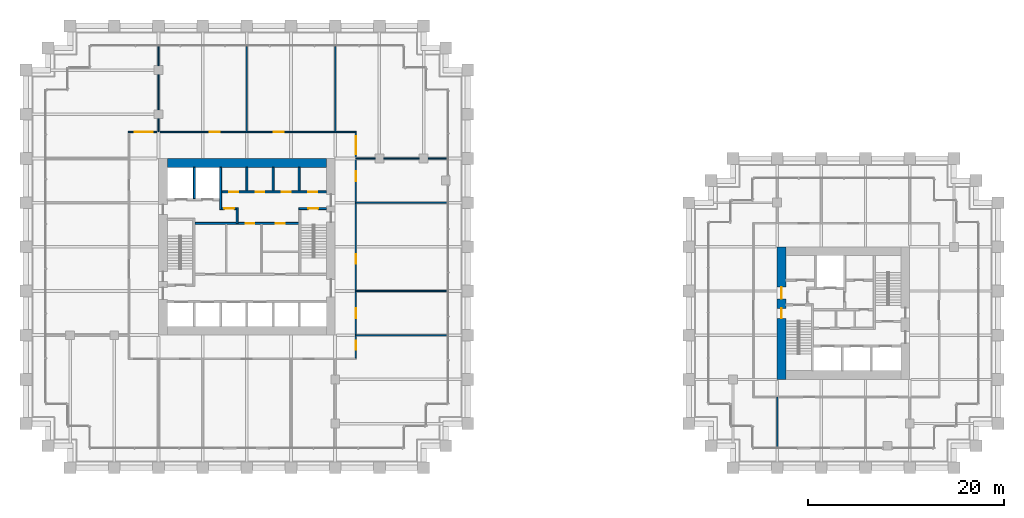
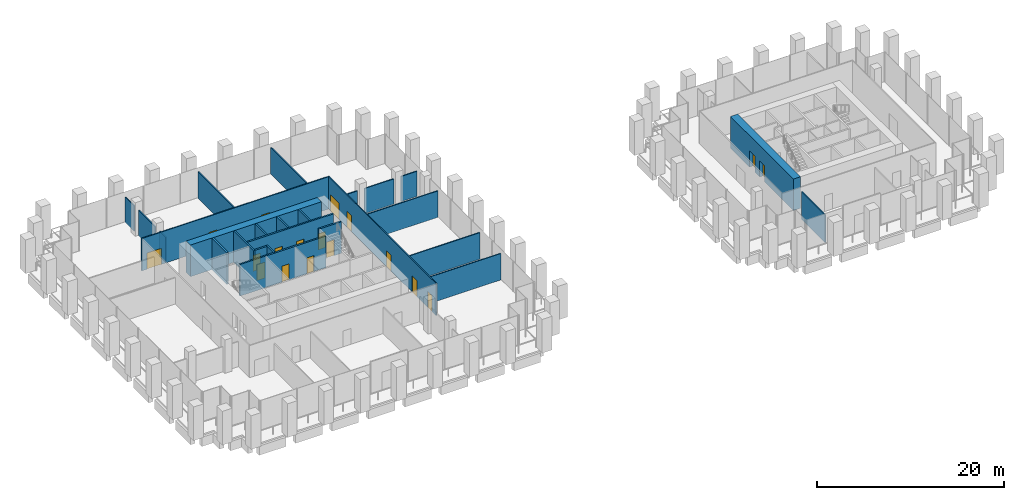
# One storey, part 31 of 36: 26 walls, 18 doors, 18 openings.
"""IFC4 building model written with IfcOpenShell, lengths in metres."""

from ifc_helpers import new_model, si_unit, direction, frame, frame_2d, origin, place, context, subcontext, project, spatial, rectangle, extrude, material, layer, layer_set, type_object, element, fill, save


model = new_model("IFC4")

# Units and contexts
model_context = context("Model", 3, precision=1e-05, world=origin(), true_north=direction((0.0, 1.0)))
body_context = subcontext(model_context, "Body", "Model", "MODEL_VIEW")
ifc_project = project(units=[si_unit("LENGTHUNIT", "METRE"), si_unit("AREAUNIT", "SQUARE_METRE"), si_unit("VOLUMEUNIT", "CUBIC_METRE"), si_unit("PLANEANGLEUNIT", "RADIAN"), si_unit("MASSUNIT", "GRAM", prefix="KILO")], contexts=[model_context])

# Site, building, storey
site_placement = place(None, origin())
site = spatial("IfcSite", under=ifc_project, at=site_placement, CompositionType="ELEMENT")
building_placement = place(site_placement, origin())
building = spatial("IfcBuilding", under=site, at=building_placement, Name="Altepetl Exchange Towers", CompositionType="ELEMENT")
storey_placement = place(building_placement, frame((0.0, 0.0, 25.39990234375)))
storey = spatial("IfcBuildingStorey", under=building, at=storey_placement, Name="L05", CompositionType="ELEMENT", Elevation=25.39990234375)

# Wall
ifc_material_1 = material(Name="Concrete C70/85", Category="concrete")
ifc_layer_1 = layer(ifc_material_1, 0.89990234375)
ifc_layer_set_1 = layer_set([ifc_layer_1], Name="Concrete C70/85")
wall_type_1 = type_object("IfcWallType", Name="Core wall 900 reinforced concrete", PredefinedType="SHEAR", material=ifc_layer_set_1)
wall_1_placement = place(storey_placement, frame((41.39990234375, 58.050048828125, 0.0)))
element("IfcWall", 1, at=wall_1_placement, inside=storey, type_object=wall_type_1, Name="wall:A:L05:K-coreN", PredefinedType="SHEAR", context=body_context, shape_type="SweptSolid", body=[
    extrude(rectangle(XDim=16.2001953125, YDim=0.89990234375, at=frame_2d((8.10009765625, 0.0))), origin(), (0.0, 0.0, 1.0), 4.125),
])

# Wall, openings, doors
wall_2_placement = place(storey_placement, frame((103.949951171875, 36.0, 0.0), z_axis=(0.0, 0.0, 1.0), x_axis=(0.0, 1.0, 0.0)))
wall_2 = element("IfcWall", 2, at=wall_2_placement, inside=storey, type_object=wall_type_1, Name="wall:B:L05:K-coreW", PredefinedType="SHEAR", context=body_context, shape_type="SweptSolid", body=[
    extrude(rectangle(XDim=13.5, YDim=0.89990234375, at=frame_2d((6.75, 0.0))), origin(), (0.0, 0.0, 1.0), 4.125),
])
opening_1_placement = place(wall_2_placement, frame((8.199951171875, 0.0, 0.0)))
opening_1 = element("IfcOpeningElement", 3, at=opening_1_placement, cuts=wall_2, Name="Opening L05.B60", PredefinedType="OPENING", context=body_context, shape_type="SweptSolid", body=[
    extrude(rectangle(XDim=1.199951171875, YDim=2.10009765625, at=frame_2d((0.60009765625, 1.050048828125))), frame((0.0, 0.4599609375, 0.0), z_axis=(0.0, -1.0, 0.0), x_axis=(1.0, 0.0, 0.0)), (0.0, 0.0, 1.0), 0.919921875),
])
opening_2_placement = place(wall_2_placement, frame((6.22509765625, 0.0, 0.0)))
opening_2 = element("IfcOpeningElement", 4, at=opening_2_placement, cuts=wall_2, Name="Opening L05.B63", PredefinedType="OPENING", context=body_context, shape_type="SweptSolid", body=[
    extrude(rectangle(XDim=1.0, YDim=2.10009765625, at=frame_2d((0.5, 1.050048828125))), frame((0.0, 0.4599609375, 0.0), z_axis=(0.0, -1.0, 0.0), x_axis=(1.0, 0.0, 0.0)), (0.0, 0.0, 1.0), 0.919921875),
])
ifc_material_2 = material(Name="Steel and timber fire door", Category="steel")
door_type_1 = type_object("IfcDoorType", Name="Fire door 1000 x 2100 stair and lobby", OperationType="SINGLE_SWING_LEFT", PredefinedType="DOOR", material=ifc_material_2)
door_1_placement = place(opening_2_placement, frame((1.0, 0.0, 0.0), x_axis=(-1.0, 0.0, 0.0)))
door_1 = element("IfcDoor", 5, at=door_1_placement, inside=storey, type_object=door_type_1, Name="door:B:L05:K-dS1x", OperationType="SINGLE_SWING_RIGHT", OverallHeight=2.10009765625, OverallWidth=1.0, PredefinedType="DOOR", context=body_context, shape_type="SweptSolid", body=[
    extrude(rectangle(XDim=1.0, YDim=2.10009765625, at=frame_2d((0.5, 1.050048828125))), frame((0.0, 0.02490234375, 0.0), z_axis=(0.0, -1.0, 0.0), x_axis=(1.0, 0.0, 0.0)), (0.0, 0.0, 1.0), 0.050048828125),
])
fill(opening_2, door_1)
door_type_2 = type_object("IfcDoorType", Name="Fire door 1200 x 2100 lobby entry", OperationType="SINGLE_SWING_LEFT", PredefinedType="DOOR", material=ifc_material_2)
door_2_placement = place(opening_1_placement, frame((1.199951171875, 0.0, 0.0), x_axis=(-1.0, 0.0, 0.0)))
door_2 = element("IfcDoor", 6, at=door_2_placement, inside=storey, type_object=door_type_2, Name="door:B:L05:K-dLNW", OperationType="SINGLE_SWING_RIGHT", OverallHeight=2.10009765625, OverallWidth=1.199951171875, PredefinedType="DOOR", context=body_context, shape_type="SweptSolid", body=[
    extrude(rectangle(XDim=1.199951171875, YDim=2.10009765625, at=frame_2d((0.60009765625, 1.050048828125))), frame((0.0, 0.02490234375, 0.0), z_axis=(0.0, -1.0, 0.0), x_axis=(1.0, 0.0, 0.0)), (0.0, 0.0, 1.0), 0.050048828125),
])
fill(opening_1, door_2)

# Wall
ifc_material_3 = material(Name="Concrete blockwork", Category="masonry")
ifc_layer_2 = layer(ifc_material_3, 0.199951171875)
ifc_layer_set_2 = layer_set([ifc_layer_2], Name="Concrete blockwork")
wall_type_2 = type_object("IfcWallType", Name="Lobby wall 200 blockwork", PredefinedType="PARTITIONING", material=ifc_layer_set_2)
wall_3_placement = place(storey_placement, frame((48.5, 51.89990234375, 0.0), z_axis=(0.0, 0.0, 1.0), x_axis=(0.0, 1.0, 0.0)))
element("IfcWall", 7, at=wall_3_placement, inside=storey, type_object=wall_type_2, Name="wall:A:L05:K-ffE", PredefinedType="PARTITIONING", context=body_context, shape_type="SweptSolid", body=[
    extrude(rectangle(XDim=1.60009765625, YDim=0.199951171875, at=frame_2d((0.800048828125, 0.0))), origin(), (0.0, 0.0, 1.0), 4.125),
])

# Wall, opening, door
wall_4_placement = place(storey_placement, frame((46.933349609375, 53.39990234375, 0.0)))
wall_4 = element("IfcWall", 8, at=wall_4_placement, inside=storey, type_object=wall_type_2, Name="wall:A:L05:K-ffN", PredefinedType="PARTITIONING", context=body_context, shape_type="SweptSolid", body=[
    extrude(rectangle(XDim=1.466552734375, YDim=0.199951171875, at=frame_2d((0.7333984375, 0.0))), origin(), (0.0, 0.0, 1.0), 4.125),
])
opening_3_placement = place(wall_4_placement, frame((0.2666015625, 0.0, 0.0)))
opening_3 = element("IfcOpeningElement", 9, at=opening_3_placement, cuts=wall_4, Name="Opening L05.A67", PredefinedType="OPENING", context=body_context, shape_type="SweptSolid", body=[
    extrude(rectangle(XDim=1.0, YDim=2.10009765625, at=frame_2d((0.5, 1.050048828125))), frame((0.0, 0.10986328125, 0.0), z_axis=(0.0, -1.0, 0.0), x_axis=(1.0, 0.0, 0.0)), (0.0, 0.0, 1.0), 0.219970703125),
])
door_3_placement = place(opening_3_placement, frame((1.0, 0.0, 0.0), x_axis=(-1.0, 0.0, 0.0)))
door_3 = element("IfcDoor", 10, at=door_3_placement, inside=storey, type_object=door_type_1, Name="door:A:L05:K-dffN", OperationType="SINGLE_SWING_LEFT", OverallHeight=2.10009765625, OverallWidth=1.0, PredefinedType="DOOR", context=body_context, shape_type="SweptSolid", body=[
    extrude(rectangle(XDim=1.0, YDim=2.10009765625, at=frame_2d((0.5, 1.050048828125))), frame((0.0, 0.02490234375, 0.0), z_axis=(0.0, -1.0, 0.0), x_axis=(1.0, 0.0, 0.0)), (0.0, 0.0, 1.0), 0.050048828125),
])
fill(opening_3, door_3)

# Wall, openings, doors
wall_5_placement = place(storey_placement, frame((44.199951171875, 51.89990234375, 0.0)))
wall_5 = element("IfcWall", 11, at=wall_5_placement, inside=storey, type_object=wall_type_2, Name="wall:A:L05:K-zoneN", PredefinedType="PARTITIONING", context=body_context, shape_type="SweptSolid", body=[
    extrude(rectangle(XDim=10.60009765625, YDim=0.199951171875, at=frame_2d((5.300048828125, 0.0))), origin(), (0.0, 0.0, 1.0), 4.125),
])
opening_4_placement = place(wall_5_placement, frame((5.175048828125, 0.0, 0.0)))
opening_4 = element("IfcOpeningElement", 12, at=opening_4_placement, cuts=wall_5, Name="Opening L05.A74", PredefinedType="OPENING", context=body_context, shape_type="SweptSolid", body=[
    extrude(rectangle(XDim=0.89990234375, YDim=2.10009765625, at=frame_2d((0.449951171875, 1.050048828125))), frame((0.0, 0.10986328125, 0.0), z_axis=(0.0, -1.0, 0.0), x_axis=(1.0, 0.0, 0.0)), (0.0, 0.0, 1.0), 0.219970703125),
])
opening_5_placement = place(wall_5_placement, frame((8.25, 0.0, 0.0)))
opening_5 = element("IfcOpeningElement", 13, at=opening_5_placement, cuts=wall_5, Name="Opening L05.A76", PredefinedType="OPENING", context=body_context, shape_type="SweptSolid", body=[
    extrude(rectangle(XDim=0.89990234375, YDim=2.10009765625, at=frame_2d((0.449951171875, 1.050048828125))), frame((0.0, 0.10986328125, 0.0), z_axis=(0.0, -1.0, 0.0), x_axis=(1.0, 0.0, 0.0)), (0.0, 0.0, 1.0), 0.219970703125),
])
door_type_3 = type_object("IfcDoorType", Name="Fire door 900 x 2100 service room", OperationType="SINGLE_SWING_LEFT", PredefinedType="DOOR", material=ifc_material_2)
door_4_placement = place(opening_4_placement, frame((0.89990234375, 0.0, 0.0), x_axis=(-1.0, 0.0, 0.0)))
door_4 = element("IfcDoor", 14, at=door_4_placement, inside=storey, type_object=door_type_3, Name="door:A:L05:K-dz2", OperationType="SINGLE_SWING_LEFT", OverallHeight=2.10009765625, OverallWidth=0.89990234375, PredefinedType="DOOR", context=body_context, shape_type="SweptSolid", body=[
    extrude(rectangle(XDim=0.89990234375, YDim=2.10009765625, at=frame_2d((0.449951171875, 1.050048828125))), frame((0.0, 0.02490234375, 0.0), z_axis=(0.0, -1.0, 0.0), x_axis=(1.0, 0.0, 0.0)), (0.0, 0.0, 1.0), 0.050048828125),
])
fill(opening_4, door_4)
door_5_placement = place(opening_5_placement, frame((0.89990234375, 0.0, 0.0), x_axis=(-1.0, 0.0, 0.0)))
door_5 = element("IfcDoor", 15, at=door_5_placement, inside=storey, type_object=door_type_3, Name="door:A:L05:K-dz4", OperationType="SINGLE_SWING_LEFT", OverallHeight=2.10009765625, OverallWidth=0.89990234375, PredefinedType="DOOR", context=body_context, shape_type="SweptSolid", body=[
    extrude(rectangle(XDim=0.89990234375, YDim=2.10009765625, at=frame_2d((0.449951171875, 1.050048828125))), frame((0.0, 0.02490234375, 0.0), z_axis=(0.0, -1.0, 0.0), x_axis=(1.0, 0.0, 0.0)), (0.0, 0.0, 1.0), 0.050048828125),
])
fill(opening_5, door_5)

# Walls
ifc_material_4 = material(Name="Gypsum board on steel studs", Category="steel")
ifc_layer_3 = layer(ifc_material_4, 0.125)
ifc_layer_set_3 = layer_set([ifc_layer_3], Name="Gypsum board on steel studs")
wall_type_3 = type_object("IfcWallType", Name="Partition 125 gypsum board on steel studs", PredefinedType="PARTITIONING", material=ifc_layer_set_3)
for number, where, name in (
    (16, (60.60009765625, 40.5, 0.0), "wall:A:L05:P05"),
    (17, (60.60009765625, 45.0, 0.0), "wall:A:L05:P06"),
    (18, (60.60009765625, 54.0, 0.0), "wall:A:L05:P08"),
):
    element("IfcWall", number, at=place(storey_placement, frame(where)), inside=storey, type_object=wall_type_3, Name=name, PredefinedType="PARTITIONING", context=body_context, shape_type="SweptSolid", body=[
        extrude(rectangle(XDim=9.2998046875, YDim=0.125, at=frame_2d((4.64990234375, 0.0))), origin(), (0.0, 0.0, 1.0), 3.467041015625),
    ])
wall_6_placement = place(storey_placement, frame((60.60009765625, 58.5, 0.0)))
element("IfcWall", 19, at=wall_6_placement, inside=storey, type_object=wall_type_3, Name="wall:A:L05:P10", PredefinedType="PARTITIONING", context=body_context, shape_type="SweptSolid", body=[
    extrude(rectangle(XDim=1.949951171875, YDim=0.125, at=frame_2d((0.97509765625, 0.0))), origin(), (0.0, 0.0, 1.0), 3.302001953125),
])
wall_7_placement = place(storey_placement, frame((63.449951171875, 58.5, 0.0)))
element("IfcWall", 20, at=wall_7_placement, inside=storey, type_object=wall_type_3, Name="wall:A:L05:P11", PredefinedType="PARTITIONING", context=body_context, shape_type="SweptSolid", body=[
    extrude(rectangle(XDim=3.60009765625, YDim=0.125, at=frame_2d((1.800048828125, 0.0))), origin(), (0.0, 0.0, 1.0), 3.302001953125),
])
wall_8_placement = place(storey_placement, frame((67.949951171875, 58.5, 0.0)))
element("IfcWall", 21, at=wall_8_placement, inside=storey, type_object=wall_type_3, Name="wall:A:L05:P12", PredefinedType="PARTITIONING", context=body_context, shape_type="SweptSolid", body=[
    extrude(rectangle(XDim=1.949951171875, YDim=0.125, at=frame_2d((0.97509765625, 0.0))), origin(), (0.0, 0.0, 1.0), 3.302001953125),
])

# Wall, openings, doors
wall_9_placement = place(storey_placement, frame((37.4375, 61.199951171875, 0.0)))
wall_9 = element("IfcWall", 22, at=wall_9_placement, inside=storey, type_object=wall_type_3, Name="wall:A:L05:P13", PredefinedType="PARTITIONING", context=body_context, shape_type="SweptSolid", body=[
    extrude(rectangle(XDim=23.22509765625, YDim=0.125, at=frame_2d((11.612548828125, 0.0))), origin(), (0.0, 0.0, 1.0), 4.22509765625),
])
opening_6_placement = place(wall_9_placement, frame((14.820556640625, 0.0, 0.0)))
opening_6 = element("IfcOpeningElement", 23, at=opening_6_placement, cuts=wall_9, Name="Opening L05.A11", PredefinedType="OPENING", context=body_context, shape_type="SweptSolid", body=[
    extrude(rectangle(XDim=1.0, YDim=2.10009765625, at=frame_2d((0.5, 1.050048828125))), frame((0.0, 0.072509765625, 0.0), z_axis=(0.0, -1.0, 0.0), x_axis=(1.0, 0.0, 0.0)), (0.0, 0.0, 1.0), 0.14501953125),
])
opening_7_placement = place(wall_9_placement, frame((8.304443359375, 0.0, 0.0)))
opening_7 = element("IfcOpeningElement", 24, at=opening_7_placement, cuts=wall_9, Name="Opening L05.A12", PredefinedType="OPENING", context=body_context, shape_type="SweptSolid", body=[
    extrude(rectangle(XDim=1.0, YDim=2.10009765625, at=frame_2d((0.5, 1.050048828125))), frame((0.0, 0.072509765625, 0.0), z_axis=(0.0, -1.0, 0.0), x_axis=(1.0, 0.0, 0.0)), (0.0, 0.0, 1.0), 0.14501953125),
])
opening_8_placement = place(wall_9_placement, frame((0.66259765625, 0.0, 0.0)))
opening_8 = element("IfcOpeningElement", 25, at=opening_8_placement, cuts=wall_9, Name="Opening L05.A13", PredefinedType="OPENING", context=body_context, shape_type="SweptSolid", body=[
    extrude(rectangle(XDim=1.800048828125, YDim=2.10009765625, at=frame_2d((0.89990234375, 1.050048828125))), frame((0.0, 0.072509765625, 0.0), z_axis=(0.0, -1.0, 0.0), x_axis=(1.0, 0.0, 0.0)), (0.0, 0.0, 1.0), 0.14501953125),
])
door_type_4 = type_object("IfcDoorType", Name="Fire door 1000 x 2100 single leaf", OperationType="SINGLE_SWING_LEFT", PredefinedType="DOOR", material=ifc_material_2)
door_6_placement = place(opening_6_placement, origin())
door_6 = element("IfcDoor", 26, at=door_6_placement, inside=storey, type_object=door_type_4, Name="door:A:L05:11", OperationType="SINGLE_SWING_LEFT", OverallHeight=2.10009765625, OverallWidth=1.0, PredefinedType="DOOR", context=body_context, shape_type="SweptSolid", body=[
    extrude(rectangle(XDim=1.0, YDim=2.10009765625, at=frame_2d((0.5, 1.050048828125))), frame((0.0, 0.02490234375, 0.0), z_axis=(0.0, -1.0, 0.0), x_axis=(1.0, 0.0, 0.0)), (0.0, 0.0, 1.0), 0.050048828125),
])
fill(opening_6, door_6)
door_7_placement = place(opening_7_placement, origin())
door_7 = element("IfcDoor", 27, at=door_7_placement, inside=storey, type_object=door_type_4, Name="door:A:L05:12", OperationType="SINGLE_SWING_RIGHT", OverallHeight=2.10009765625, OverallWidth=1.0, PredefinedType="DOOR", context=body_context, shape_type="SweptSolid", body=[
    extrude(rectangle(XDim=1.0, YDim=2.10009765625, at=frame_2d((0.5, 1.050048828125))), frame((0.0, 0.02490234375, 0.0), z_axis=(0.0, -1.0, 0.0), x_axis=(1.0, 0.0, 0.0)), (0.0, 0.0, 1.0), 0.050048828125),
])
fill(opening_7, door_7)
door_type_5 = type_object("IfcDoorType", Name="Fire door 1800 x 2100 double leaf", OperationType="DOUBLE_DOOR_SINGLE_SWING", PredefinedType="DOOR", material=ifc_material_2)
door_8_placement = place(opening_8_placement, origin())
door_8 = element("IfcDoor", 28, at=door_8_placement, inside=storey, type_object=door_type_5, Name="door:A:L05:13", OperationType="DOUBLE_DOOR_SINGLE_SWING", OverallHeight=2.10009765625, OverallWidth=1.800048828125, PredefinedType="DOOR", context=body_context, shape_type="SweptSolid", body=[
    extrude(rectangle(XDim=1.800048828125, YDim=2.10009765625, at=frame_2d((0.89990234375, 1.050048828125))), frame((0.0, 0.02490234375, 0.0), z_axis=(0.0, -1.0, 0.0), x_axis=(1.0, 0.0, 0.0)), (0.0, 0.0, 1.0), 0.050048828125),
])
fill(opening_8, door_8)

# Walls
wall_10_placement = place(storey_placement, frame((40.5, 61.199951171875, 0.0), z_axis=(0.0, 0.0, 1.0), x_axis=(0.0, 1.0, 0.0)))
element("IfcWall", 29, at=wall_10_placement, inside=storey, type_object=wall_type_3, Name="wall:A:L05:P16", PredefinedType="PARTITIONING", context=body_context, shape_type="SweptSolid", body=[
    extrude(rectangle(XDim=1.35009765625, YDim=0.125, at=frame_2d((0.675048828125, 0.0))), origin(), (0.0, 0.0, 1.0), 3.302001953125),
])
wall_11_placement = place(storey_placement, frame((40.5, 63.449951171875, 0.0), z_axis=(0.0, 0.0, 1.0), x_axis=(0.0, 1.0, 0.0)))
element("IfcWall", 30, at=wall_11_placement, inside=storey, type_object=wall_type_3, Name="wall:A:L05:P17", PredefinedType="PARTITIONING", context=body_context, shape_type="SweptSolid", body=[
    extrude(rectangle(XDim=3.60009765625, YDim=0.125, at=frame_2d((1.800048828125, 0.0))), origin(), (0.0, 0.0, 1.0), 3.302001953125),
])
wall_12_placement = place(storey_placement, frame((40.5, 67.949951171875, 0.0), z_axis=(0.0, 0.0, 1.0), x_axis=(0.0, 1.0, 0.0)))
element("IfcWall", 31, at=wall_12_placement, inside=storey, type_object=wall_type_3, Name="wall:A:L05:P18", PredefinedType="PARTITIONING", context=body_context, shape_type="SweptSolid", body=[
    extrude(rectangle(XDim=1.949951171875, YDim=0.125, at=frame_2d((0.97509765625, 0.0))), origin(), (0.0, 0.0, 1.0), 3.302001953125),
])
for number, where, z_axis, x_axis, name in (
    (32, (49.5, 61.199951171875, 0.0), (0.0, 0.0, 1.0), (0.0, 1.0, 0.0), "wall:A:L05:P20"),
    (33, (58.5, 61.199951171875, 0.0), (0.0, 0.0, 1.0), (0.0, 1.0, 0.0), "wall:A:L05:P25"),
):
    element("IfcWall", number, at=place(storey_placement, frame(where, z_axis=z_axis, x_axis=x_axis)), inside=storey, type_object=wall_type_3, Name=name, PredefinedType="PARTITIONING", context=body_context, shape_type="SweptSolid", body=[
        extrude(rectangle(XDim=8.699951171875, YDim=0.125, at=frame_2d((4.35009765625, 0.0))), origin(), (0.0, 0.0, 1.0), 3.467041015625),
    ])

# Wall, openings, doors
wall_13_placement = place(storey_placement, frame((60.60009765625, 38.16259765625, 0.0), z_axis=(0.0, 0.0, 1.0), x_axis=(0.0, 1.0, 0.0)))
wall_13 = element("IfcWall", 34, at=wall_13_placement, inside=storey, type_object=wall_type_3, Name="wall:A:L05:P26", PredefinedType="PARTITIONING", context=body_context, shape_type="SweptSolid", body=[
    extrude(rectangle(XDim=22.974853515625, YDim=0.125, at=frame_2d((11.4873046875, 0.0))), origin(), (0.0, 0.0, 1.0), 4.22509765625),
])
opening_9_placement = place(wall_13_placement, frame((0.862548828125, 0.0, 0.0)))
opening_9 = element("IfcOpeningElement", 35, at=opening_9_placement, cuts=wall_13, Name="Opening L05.A06", PredefinedType="OPENING", context=body_context, shape_type="SweptSolid", body=[
    extrude(rectangle(XDim=0.89990234375, YDim=2.10009765625, at=frame_2d((0.449951171875, 1.050048828125))), frame((0.0, 0.072509765625, 0.0), z_axis=(0.0, -1.0, 0.0), x_axis=(1.0, 0.0, 0.0)), (0.0, 0.0, 1.0), 0.14501953125),
])
opening_10_placement = place(wall_13_placement, frame((4.08740234375, 0.0, 0.0)))
opening_10 = element("IfcOpeningElement", 36, at=opening_10_placement, cuts=wall_13, Name="Opening L05.A07", PredefinedType="OPENING", context=body_context, shape_type="SweptSolid", body=[
    extrude(rectangle(XDim=1.0, YDim=2.10009765625, at=frame_2d((0.5, 1.050048828125))), frame((0.0, 0.072509765625, 0.0), z_axis=(0.0, -1.0, 0.0), x_axis=(1.0, 0.0, 0.0)), (0.0, 0.0, 1.0), 0.14501953125),
])
opening_11_placement = place(wall_13_placement, frame((9.595458984375, 0.0, 0.0)))
opening_11 = element("IfcOpeningElement", 37, at=opening_11_placement, cuts=wall_13, Name="Opening L05.A08", PredefinedType="OPENING", context=body_context, shape_type="SweptSolid", body=[
    extrude(rectangle(XDim=1.0, YDim=2.10009765625, at=frame_2d((0.5, 1.050048828125))), frame((0.0, 0.072509765625, 0.0), z_axis=(0.0, -1.0, 0.0), x_axis=(1.0, 0.0, 0.0)), (0.0, 0.0, 1.0), 0.14501953125),
])
opening_12_placement = place(wall_13_placement, frame((18.04248046875, 0.0, 0.0)))
opening_12 = element("IfcOpeningElement", 38, at=opening_12_placement, cuts=wall_13, Name="Opening L05.A09", PredefinedType="OPENING", context=body_context, shape_type="SweptSolid", body=[
    extrude(rectangle(XDim=1.0, YDim=2.10009765625, at=frame_2d((0.5, 1.050048828125))), frame((0.0, 0.072509765625, 0.0), z_axis=(0.0, -1.0, 0.0), x_axis=(1.0, 0.0, 0.0)), (0.0, 0.0, 1.0), 0.14501953125),
])
opening_13_placement = place(wall_13_placement, frame((20.78759765625, 0.0, 0.0)))
opening_13 = element("IfcOpeningElement", 39, at=opening_13_placement, cuts=wall_13, Name="Opening L05.A10", PredefinedType="OPENING", context=body_context, shape_type="SweptSolid", body=[
    extrude(rectangle(XDim=1.800048828125, YDim=2.10009765625, at=frame_2d((0.89990234375, 1.050048828125))), frame((0.0, 0.072509765625, 0.0), z_axis=(0.0, -1.0, 0.0), x_axis=(1.0, 0.0, 0.0)), (0.0, 0.0, 1.0), 0.14501953125),
])
door_9_placement = place(opening_10_placement, frame((1.0, 0.0, 0.0), x_axis=(-1.0, 0.0, 0.0)))
door_9 = element("IfcDoor", 40, at=door_9_placement, inside=storey, type_object=door_type_4, Name="door:A:L05:07", OperationType="SINGLE_SWING_LEFT", OverallHeight=2.10009765625, OverallWidth=1.0, PredefinedType="DOOR", context=body_context, shape_type="SweptSolid", body=[
    extrude(rectangle(XDim=1.0, YDim=2.10009765625, at=frame_2d((0.5, 1.050048828125))), frame((0.0, 0.02490234375, 0.0), z_axis=(0.0, -1.0, 0.0), x_axis=(1.0, 0.0, 0.0)), (0.0, 0.0, 1.0), 0.050048828125),
])
fill(opening_10, door_9)
door_10_placement = place(opening_11_placement, frame((1.0, 0.0, 0.0), x_axis=(-1.0, 0.0, 0.0)))
door_10 = element("IfcDoor", 41, at=door_10_placement, inside=storey, type_object=door_type_4, Name="door:A:L05:08", OperationType="SINGLE_SWING_RIGHT", OverallHeight=2.10009765625, OverallWidth=1.0, PredefinedType="DOOR", context=body_context, shape_type="SweptSolid", body=[
    extrude(rectangle(XDim=1.0, YDim=2.10009765625, at=frame_2d((0.5, 1.050048828125))), frame((0.0, 0.02490234375, 0.0), z_axis=(0.0, -1.0, 0.0), x_axis=(1.0, 0.0, 0.0)), (0.0, 0.0, 1.0), 0.050048828125),
])
fill(opening_11, door_10)
door_11_placement = place(opening_12_placement, frame((1.0, 0.0, 0.0), x_axis=(-1.0, 0.0, 0.0)))
door_11 = element("IfcDoor", 42, at=door_11_placement, inside=storey, type_object=door_type_4, Name="door:A:L05:09", OperationType="SINGLE_SWING_LEFT", OverallHeight=2.10009765625, OverallWidth=1.0, PredefinedType="DOOR", context=body_context, shape_type="SweptSolid", body=[
    extrude(rectangle(XDim=1.0, YDim=2.10009765625, at=frame_2d((0.5, 1.050048828125))), frame((0.0, 0.02490234375, 0.0), z_axis=(0.0, -1.0, 0.0), x_axis=(1.0, 0.0, 0.0)), (0.0, 0.0, 1.0), 0.050048828125),
])
fill(opening_12, door_11)
door_12_placement = place(opening_13_placement, frame((1.800048828125, 0.0, 0.0), x_axis=(-1.0, 0.0, 0.0)))
door_12 = element("IfcDoor", 43, at=door_12_placement, inside=storey, type_object=door_type_5, Name="door:A:L05:10", OperationType="DOUBLE_DOOR_SINGLE_SWING", OverallHeight=2.10009765625, OverallWidth=1.800048828125, PredefinedType="DOOR", context=body_context, shape_type="SweptSolid", body=[
    extrude(rectangle(XDim=1.800048828125, YDim=2.10009765625, at=frame_2d((0.89990234375, 1.050048828125))), frame((0.0, 0.02490234375, 0.0), z_axis=(0.0, -1.0, 0.0), x_axis=(1.0, 0.0, 0.0)), (0.0, 0.0, 1.0), 0.050048828125),
])
fill(opening_13, door_12)
door_type_6 = type_object("IfcDoorType", Name="Fire door 900 x 2100 single leaf", OperationType="SINGLE_SWING_LEFT", PredefinedType="DOOR", material=ifc_material_2)
door_13_placement = place(opening_9_placement, frame((0.89990234375, 0.0, 0.0), x_axis=(-1.0, 0.0, 0.0)))
door_13 = element("IfcDoor", 44, at=door_13_placement, inside=storey, type_object=door_type_6, Name="door:A:L05:06", OperationType="SINGLE_SWING_RIGHT", OverallHeight=2.10009765625, OverallWidth=0.89990234375, PredefinedType="DOOR", context=body_context, shape_type="SweptSolid", body=[
    extrude(rectangle(XDim=0.89990234375, YDim=2.10009765625, at=frame_2d((0.449951171875, 1.050048828125))), frame((0.0, 0.02490234375, 0.0), z_axis=(0.0, -1.0, 0.0), x_axis=(1.0, 0.0, 0.0)), (0.0, 0.0, 1.0), 0.050048828125),
])
fill(opening_9, door_13)

# Walls
wall_14_placement = place(storey_placement, frame((103.5, 29.10009765625, 0.0), z_axis=(0.0, 0.0, 1.0), x_axis=(0.0, 1.0, 0.0)))
element("IfcWall", 45, at=wall_14_placement, inside=storey, type_object=wall_type_3, Name="wall:B:L05:P04", PredefinedType="PARTITIONING", context=body_context, shape_type="SweptSolid", body=[
    extrude(rectangle(XDim=5.099853515625, YDim=0.125, at=frame_2d((2.5498046875, 0.0))), origin(), (0.0, 0.0, 1.0), 3.613037109375),
])
ifc_material_5 = material(Name="Concrete C40/50", Category="concrete")
ifc_layer_4 = layer(ifc_material_5, 0.199951171875)
ifc_layer_set_4 = layer_set([ifc_layer_4], Name="Concrete C40/50")
wall_type_4 = type_object("IfcWallType", Name="Shaft wall 200 reinforced concrete", PredefinedType="SHEAR", material=ifc_layer_set_4)
wall_15_placement = place(storey_placement, frame((44.166748046875, 57.60009765625, 0.0), z_axis=(0.0, 0.0, 1.0), x_axis=(0.0, -1.0, 0.0)))
element("IfcWall", 46, at=wall_15_placement, inside=storey, type_object=wall_type_4, Name="wall:A:L05:K-divN1", PredefinedType="SHEAR", context=body_context, shape_type="SweptSolid", body=[
    extrude(rectangle(XDim=3.2001953125, YDim=0.199951171875, at=frame_2d((1.60009765625, 0.0))), origin(), (0.0, 0.0, 1.0), 4.125),
])
wall_16_placement = place(storey_placement, frame((46.833251953125, 57.60009765625, 0.0), z_axis=(0.0, 0.0, 1.0), x_axis=(0.0, -1.0, 0.0)))
element("IfcWall", 47, at=wall_16_placement, inside=storey, type_object=wall_type_4, Name="wall:A:L05:K-divN2", PredefinedType="SHEAR", context=body_context, shape_type="SweptSolid", body=[
    extrude(rectangle(XDim=4.300048828125, YDim=0.199951171875, at=frame_2d((2.14990234375, 0.0))), origin(), (0.0, 0.0, 1.0), 4.125),
])
for number, where, z_axis, x_axis, name in (
    (48, (49.5, 57.60009765625, 0.0), (0.0, 0.0, 1.0), (0.0, -1.0, 0.0), "wall:A:L05:K-divN3"),
    (49, (52.166748046875, 57.60009765625, 0.0), (0.0, 0.0, 1.0), (0.0, -1.0, 0.0), "wall:A:L05:K-divN4"),
    (50, (54.833251953125, 57.60009765625, 0.0), (0.0, 0.0, 1.0), (0.0, -1.0, 0.0), "wall:A:L05:K-divN5"),
):
    element("IfcWall", number, at=place(storey_placement, frame(where, z_axis=z_axis, x_axis=x_axis)), inside=storey, type_object=wall_type_4, Name=name, PredefinedType="SHEAR", context=body_context, shape_type="SweptSolid", body=[
        extrude(rectangle(XDim=2.400146484375, YDim=0.199951171875, at=frame_2d((1.2001953125, 0.0))), origin(), (0.0, 0.0, 1.0), 4.125),
    ])

# Wall, openings, doors
wall_17_placement = place(storey_placement, frame((46.933349609375, 55.10009765625, 0.0)))
wall_17 = element("IfcWall", 51, at=wall_17_placement, inside=storey, type_object=wall_type_4, Name="wall:A:L05:K-frontNb", PredefinedType="SHEAR", context=body_context, shape_type="SweptSolid", body=[
    extrude(rectangle(XDim=10.666748046875, YDim=0.199951171875, at=frame_2d((5.33349609375, 0.0))), origin(), (0.0, 0.0, 1.0), 4.125),
])
opening_14_placement = place(wall_17_placement, frame((8.83349609375, 0.0, 0.0)))
opening_14 = element("IfcOpeningElement", 52, at=opening_14_placement, cuts=wall_17, Name="Opening L05.A69", PredefinedType="OPENING", context=body_context, shape_type="SweptSolid", body=[
    extrude(rectangle(XDim=0.89990234375, YDim=2.10009765625, at=frame_2d((0.449951171875, 1.050048828125))), frame((0.0, 0.10986328125, 0.0), z_axis=(0.0, -1.0, 0.0), x_axis=(1.0, 0.0, 0.0)), (0.0, 0.0, 1.0), 0.219970703125),
])
opening_15_placement = place(wall_17_placement, frame((0.783447265625, 0.0, 0.0)))
opening_15 = element("IfcOpeningElement", 53, at=opening_15_placement, cuts=wall_17, Name="Opening L05.A70", PredefinedType="OPENING", context=body_context, shape_type="SweptSolid", body=[
    extrude(rectangle(XDim=0.89990234375, YDim=2.10009765625, at=frame_2d((0.449951171875, 1.050048828125))), frame((0.0, 0.10986328125, 0.0), z_axis=(0.0, -1.0, 0.0), x_axis=(1.0, 0.0, 0.0)), (0.0, 0.0, 1.0), 0.219970703125),
])
opening_16_placement = place(wall_17_placement, frame((3.449951171875, 0.0, 0.0)))
opening_16 = element("IfcOpeningElement", 54, at=opening_16_placement, cuts=wall_17, Name="Opening L05.A71", PredefinedType="OPENING", context=body_context, shape_type="SweptSolid", body=[
    extrude(rectangle(XDim=0.89990234375, YDim=2.10009765625, at=frame_2d((0.449951171875, 1.050048828125))), frame((0.0, 0.10986328125, 0.0), z_axis=(0.0, -1.0, 0.0), x_axis=(1.0, 0.0, 0.0)), (0.0, 0.0, 1.0), 0.219970703125),
])
opening_17_placement = place(wall_17_placement, frame((6.11669921875, 0.0, 0.0)))
opening_17 = element("IfcOpeningElement", 55, at=opening_17_placement, cuts=wall_17, Name="Opening L05.A72", PredefinedType="OPENING", context=body_context, shape_type="SweptSolid", body=[
    extrude(rectangle(XDim=0.89990234375, YDim=2.10009765625, at=frame_2d((0.449951171875, 1.050048828125))), frame((0.0, 0.10986328125, 0.0), z_axis=(0.0, -1.0, 0.0), x_axis=(1.0, 0.0, 0.0)), (0.0, 0.0, 1.0), 0.219970703125),
])
door_14_placement = place(opening_14_placement, origin())
door_14 = element("IfcDoor", 56, at=door_14_placement, inside=storey, type_object=door_type_3, Name="door:A:L05:K-driser", OperationType="SINGLE_SWING_RIGHT", OverallHeight=2.10009765625, OverallWidth=0.89990234375, PredefinedType="DOOR", context=body_context, shape_type="SweptSolid", body=[
    extrude(rectangle(XDim=0.89990234375, YDim=2.10009765625, at=frame_2d((0.449951171875, 1.050048828125))), frame((0.0, 0.02490234375, 0.0), z_axis=(0.0, -1.0, 0.0), x_axis=(1.0, 0.0, 0.0)), (0.0, 0.0, 1.0), 0.050048828125),
])
fill(opening_14, door_14)
door_15_placement = place(opening_15_placement, origin())
door_15 = element("IfcDoor", 57, at=door_15_placement, inside=storey, type_object=door_type_3, Name="door:A:L05:K-dslotN2", OperationType="SINGLE_SWING_RIGHT", OverallHeight=2.10009765625, OverallWidth=0.89990234375, PredefinedType="DOOR", context=body_context, shape_type="SweptSolid", body=[
    extrude(rectangle(XDim=0.89990234375, YDim=2.10009765625, at=frame_2d((0.449951171875, 1.050048828125))), frame((0.0, 0.02490234375, 0.0), z_axis=(0.0, -1.0, 0.0), x_axis=(1.0, 0.0, 0.0)), (0.0, 0.0, 1.0), 0.050048828125),
])
fill(opening_15, door_15)
door_16_placement = place(opening_16_placement, origin())
door_16 = element("IfcDoor", 58, at=door_16_placement, inside=storey, type_object=door_type_3, Name="door:A:L05:K-dslotN3", OperationType="SINGLE_SWING_RIGHT", OverallHeight=2.10009765625, OverallWidth=0.89990234375, PredefinedType="DOOR", context=body_context, shape_type="SweptSolid", body=[
    extrude(rectangle(XDim=0.89990234375, YDim=2.10009765625, at=frame_2d((0.449951171875, 1.050048828125))), frame((0.0, 0.02490234375, 0.0), z_axis=(0.0, -1.0, 0.0), x_axis=(1.0, 0.0, 0.0)), (0.0, 0.0, 1.0), 0.050048828125),
])
fill(opening_16, door_16)
door_17_placement = place(opening_17_placement, origin())
door_17 = element("IfcDoor", 59, at=door_17_placement, inside=storey, type_object=door_type_3, Name="door:A:L05:K-dslotN4", OperationType="SINGLE_SWING_RIGHT", OverallHeight=2.10009765625, OverallWidth=0.89990234375, PredefinedType="DOOR", context=body_context, shape_type="SweptSolid", body=[
    extrude(rectangle(XDim=0.89990234375, YDim=2.10009765625, at=frame_2d((0.449951171875, 1.050048828125))), frame((0.0, 0.02490234375, 0.0), z_axis=(0.0, -1.0, 0.0), x_axis=(1.0, 0.0, 0.0)), (0.0, 0.0, 1.0), 0.050048828125),
])
fill(opening_17, door_17)

# Wall, opening, door
ifc_layer_5 = layer(ifc_material_5, 0.199951171875)
ifc_layer_set_5 = layer_set([ifc_layer_5], Name="Concrete C40/50")
wall_type_5 = type_object("IfcWallType", Name="Stair wall 200 reinforced concrete", PredefinedType="SHEAR", material=ifc_layer_set_5)
wall_18_placement = place(storey_placement, frame((54.800048828125, 53.39990234375, 0.0)))
wall_18 = element("IfcWall", 60, at=wall_18_placement, inside=storey, type_object=wall_type_5, Name="wall:A:L05:K-stS2N", PredefinedType="SHEAR", context=body_context, shape_type="SweptSolid", body=[
    extrude(rectangle(XDim=2.800048828125, YDim=0.199951171875, at=frame_2d((1.39990234375, 0.0))), origin(), (0.0, 0.0, 1.0), 4.125),
])
opening_18_placement = place(wall_18_placement, frame((0.949951171875, 0.0, 0.0)))
opening_18 = element("IfcOpeningElement", 61, at=opening_18_placement, cuts=wall_18, Name="Opening L05.A65", PredefinedType="OPENING", context=body_context, shape_type="SweptSolid", body=[
    extrude(rectangle(XDim=1.0, YDim=2.10009765625, at=frame_2d((0.5, 1.050048828125))), frame((0.0, 0.10986328125, 0.0), z_axis=(0.0, -1.0, 0.0), x_axis=(1.0, 0.0, 0.0)), (0.0, 0.0, 1.0), 0.219970703125),
])
door_18_placement = place(opening_18_placement, frame((1.0, 0.0, 0.0), x_axis=(-1.0, 0.0, 0.0)))
door_18 = element("IfcDoor", 62, at=door_18_placement, inside=storey, type_object=door_type_1, Name="door:A:L05:K-dS2in", OperationType="SINGLE_SWING_LEFT", OverallHeight=2.10009765625, OverallWidth=1.0, PredefinedType="DOOR", context=body_context, shape_type="SweptSolid", body=[
    extrude(rectangle(XDim=1.0, YDim=2.10009765625, at=frame_2d((0.5, 1.050048828125))), frame((0.0, 0.02490234375, 0.0), z_axis=(0.0, -1.0, 0.0), x_axis=(1.0, 0.0, 0.0)), (0.0, 0.0, 1.0), 0.050048828125),
])
fill(opening_18, door_18)

save(model, "model.ifc")
